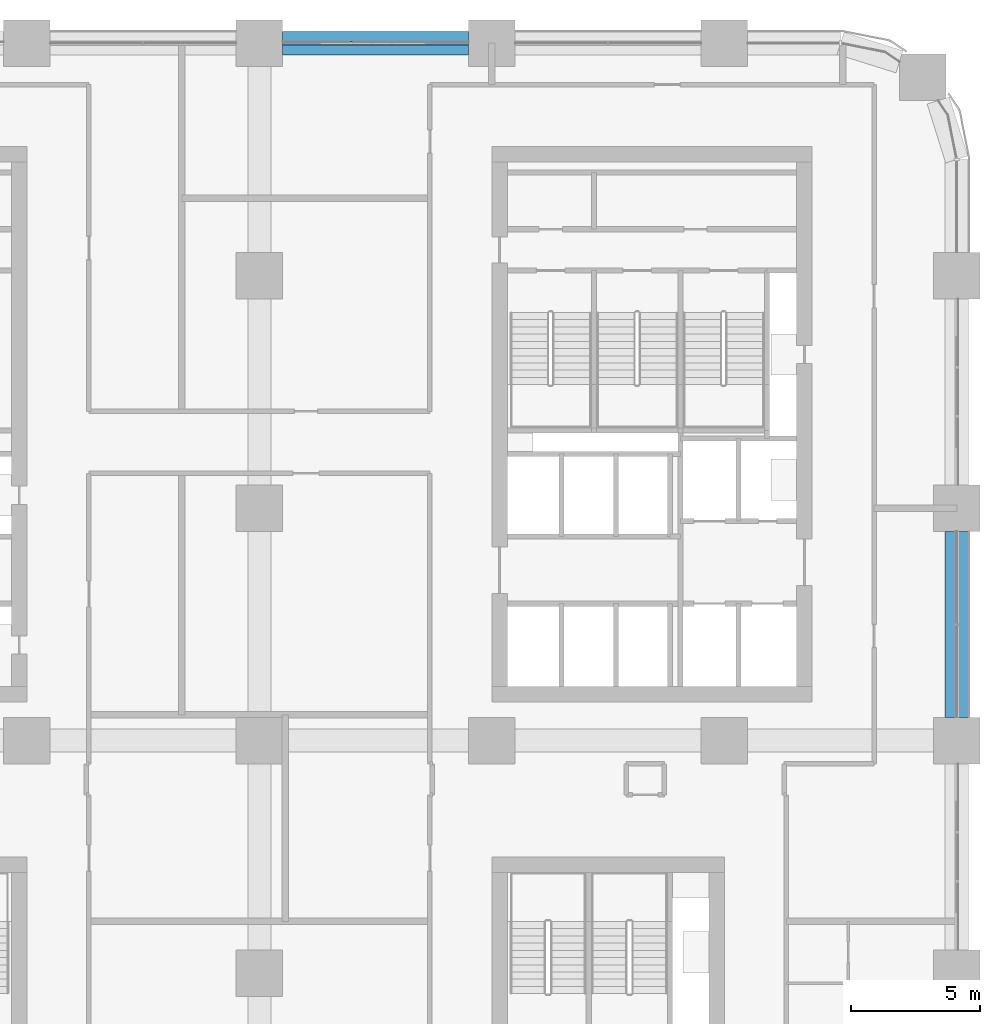
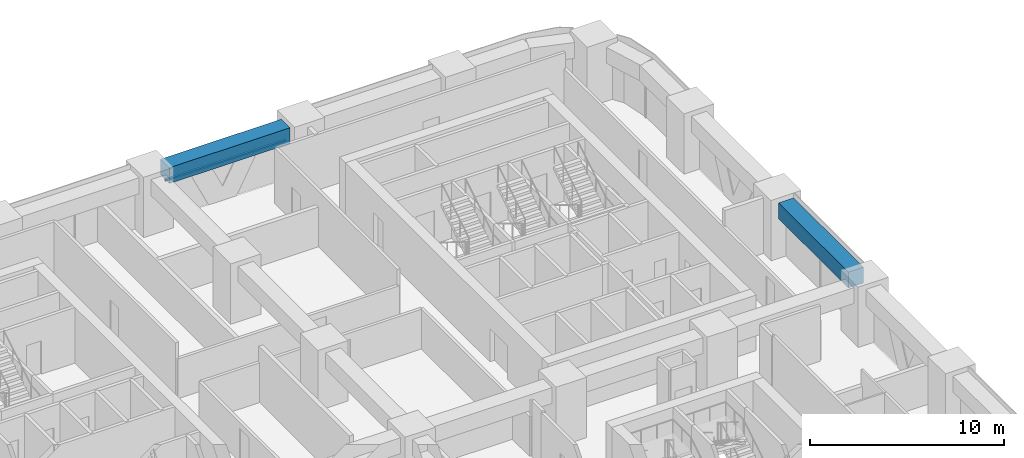
# One storey, part 9 of 24: 2 beams, 1 member, 1 element without a shape of its own.
"""IFC4 building model written with IfcOpenShell, lengths in metres."""

from ifc_helpers import new_model, si_unit, direction, frame, origin, origin_2d, place, context, subcontext, project, spatial, rectangle, extrude, material, material_profile, profile_set, type_object, element, aggregate, save


model = new_model("IFC4")

# Units and contexts
model_context = context("Model", 3, precision=1e-05, world=origin(), true_north=direction((0.0, 1.0)))
body_context = subcontext(model_context, "Body", "Model", "MODEL_VIEW")
ifc_project = project(units=[si_unit("LENGTHUNIT", "METRE"), si_unit("AREAUNIT", "SQUARE_METRE"), si_unit("VOLUMEUNIT", "CUBIC_METRE"), si_unit("PLANEANGLEUNIT", "RADIAN"), si_unit("MASSUNIT", "GRAM", prefix="KILO")], contexts=[model_context])

# Site, building, storey
site_placement = place(None, origin())
site = spatial("IfcSite", under=ifc_project, at=site_placement, CompositionType="ELEMENT")
building_placement = place(site_placement, origin())
building = spatial("IfcBuilding", under=site, at=building_placement, Name="Tessera Arch", CompositionType="ELEMENT")
storey_placement = place(building_placement, frame((0.0, 0.0, 38.60009765625)))
storey = spatial("IfcBuildingStorey", under=building, at=storey_placement, Name="L07", CompositionType="ELEMENT", Elevation=38.60009765625)

# Curtain wall, member
ifc_material_1 = material(Name="CW3 curtain wall")
curtain_wall_type = type_object("IfcCurtainWallType", Name="CW3 curtain wall", PredefinedType="NOTDEFINED", material=ifc_material_1)
curtain_wall_placement = place(storey_placement, origin())
curtain_wall = element("IfcCurtainWall", 1, at=curtain_wall_placement, inside=storey, type_object=curtain_wall_type, Name="CW3 curtain wall N54.0/2 L07", PredefinedType="NOTDEFINED")
ifc_material_2 = material(Name="Anodised aluminium pale metal", Category="aluminium")
ifc_material_profile_1 = material_profile(ifc_material_2, rectangle(XDim=0.139892578125, YDim=0.10009765625, at=origin_2d()), Name="AL 140x100")
ifc_profile_set_1 = profile_set([ifc_material_profile_1], Name="Anodised aluminium pale metal")
member_type = type_object("IfcMemberType", Name="CW3 transom", PredefinedType="USERDEFINED", material=ifc_profile_set_1)
member_placement = place(storey_placement, frame((35.10009765625, 54.0, 2.449951171875), z_axis=(-1.0, 0.0, 0.0), x_axis=(0.0, -1.0, 0.0)))
member = element("IfcMember", 2, at=member_placement, type_object=member_type, Name="CW3 transom N54.0/2 1.1", ObjectType="TRANSOM", PredefinedType="USERDEFINED", context=body_context, shape_type="SweptSolid", body=[
    extrude(rectangle(XDim=0.139892578125, YDim=0.10009765625, at=origin_2d()), origin(), (0.0, 0.0, 1.0), 7.2001953125),
])
aggregate(curtain_wall, [member])

# Beams
ifc_material_3 = material(Name="Concrete C80/95", Category="concrete")
ifc_material_profile_2 = material_profile(ifc_material_3, rectangle(XDim=0.89990234375, YDim=1.0, at=origin_2d()), Name="RC spandrel beam 900 x 1000 Concrete C80/95")
ifc_profile_set_2 = profile_set([ifc_material_profile_2], Name="Concrete C80/95")
beam_type = type_object("IfcBeamType", Name="RC spandrel beam 900 x 1000 Concrete C80/95", PredefinedType="BEAM", material=ifc_profile_set_2)
for number, where, z_axis, x_axis, name in (
    (3, (54.0, 27.89990234375, 3.0), (0.0, 1.0, 0.0), (-1.0, 0.0, 0.0), "Spandrel beam L07 E54.0/3"),
    (4, (35.10009765625, 54.0, 3.0), (-1.0, 0.0, 0.0), (0.0, -1.0, 0.0), "Spandrel beam L07 N54.0/2"),
):
    element("IfcBeam", number, at=place(storey_placement, frame(where, z_axis=z_axis, x_axis=x_axis)), inside=storey, type_object=beam_type, Name=name, PredefinedType="BEAM", context=body_context, shape_type="SweptSolid", body=[
        extrude(rectangle(XDim=0.89990234375, YDim=1.0, at=origin_2d()), origin(), (0.0, 0.0, 1.0), 7.2001953125),
    ])

save(model, "model.ifc")
